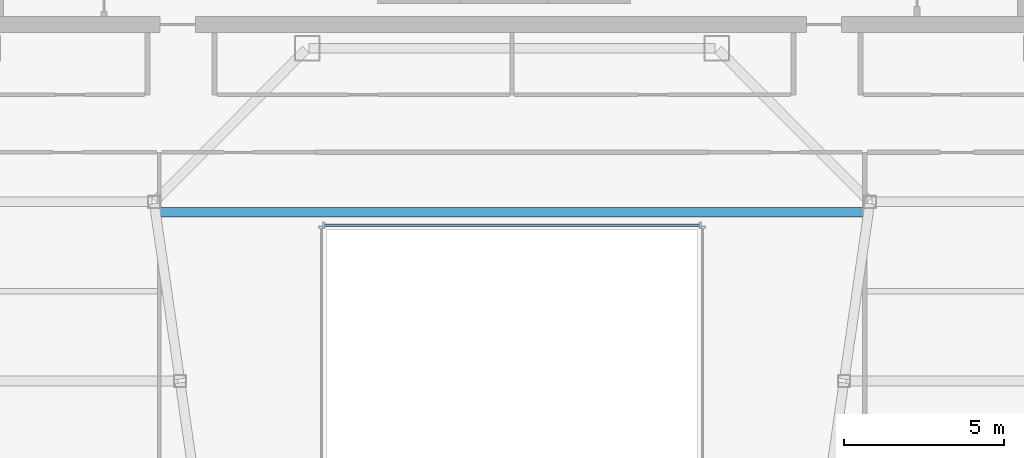
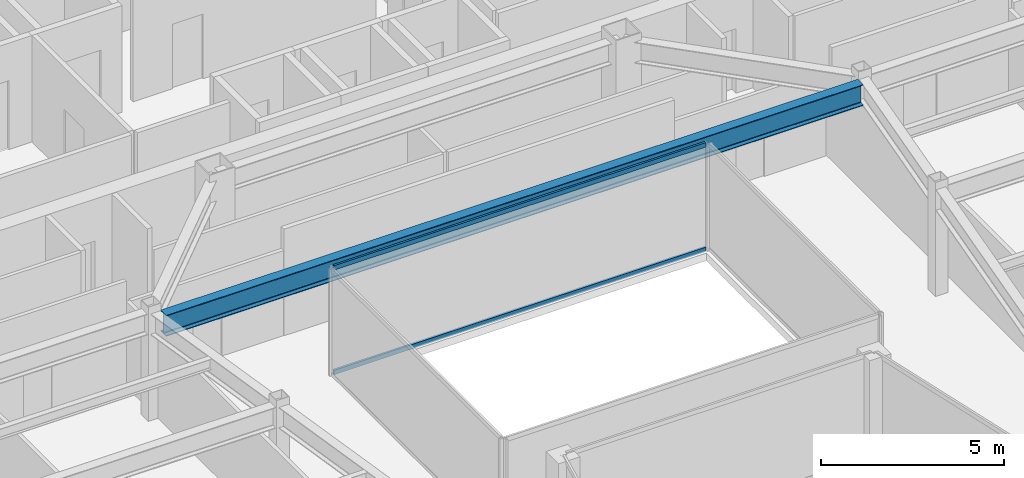
# One storey, part 14 of 36: 2 members, 1 beam, 1 element without a shape of its own.
"""IFC4 building model written with IfcOpenShell, lengths in metres."""

from ifc_helpers import new_model, si_unit, direction, frame, origin, origin_2d, place, context, subcontext, project, spatial, hollow_rectangle, i_section, extrude, material, material_profile, profile_set, type_object, element, aggregate, save


model = new_model("IFC4")

# Units and contexts
model_context = context("Model", 3, precision=1e-05, world=origin(), true_north=direction((0.0, 1.0)))
body_context = subcontext(model_context, "Body", "Model", "MODEL_VIEW")
ifc_project = project(units=[si_unit("LENGTHUNIT", "METRE"), si_unit("AREAUNIT", "SQUARE_METRE"), si_unit("VOLUMEUNIT", "CUBIC_METRE"), si_unit("PLANEANGLEUNIT", "RADIAN"), si_unit("MASSUNIT", "GRAM", prefix="KILO")], contexts=[model_context])

# Site, building, storey
site_placement = place(None, origin())
site = spatial("IfcSite", under=ifc_project, at=site_placement, CompositionType="ELEMENT")
building_placement = place(site_placement, origin())
building = spatial("IfcBuilding", under=site, at=building_placement, Name="Saevonmaru Cultural Tower", CompositionType="ELEMENT")
storey_placement = place(building_placement, frame((0.0, 0.0, 186.60009765625)))
storey = spatial("IfcBuildingStorey", under=building, at=storey_placement, Name="L42", CompositionType="ELEMENT", Elevation=186.60009765625)

# Beam
ifc_material_1 = material(Name="Steel SM355", Category="steel")
ifc_material_profile_1 = material_profile(ifc_material_1, i_section(OverallWidth=0.300048828125, OverallDepth=0.699951171875, WebThickness=0.012939453125, FlangeThickness=0.02392578125, FilletRadius=0.02587890625, at=origin_2d()), Name="H-700x300x13x24")
ifc_profile_set_1 = profile_set([ifc_material_profile_1], Name="Steel SM355")
beam_type = type_object("IfcBeamType", Name="BM-G-H700", PredefinedType="BEAM", material=ifc_profile_set_1)
beam_placement = place(storey_placement, frame((19.01220703125, 37.280029296875, 3.199951171875), z_axis=(1.0, 0.0, 0.0), x_axis=(0.0, 1.0, 0.0)))
element("IfcBeam", 1, at=beam_placement, inside=storey, type_object=beam_type, Name="L42 Central Link Girder", PredefinedType="BEAM", context=body_context, shape_type="SweptSolid", body=[
    extrude(i_section(OverallWidth=0.300048828125, OverallDepth=0.699951171875, WebThickness=0.012939453125, FlangeThickness=0.02392578125, FilletRadius=0.02587890625, at=origin_2d()), origin(), (0.0, 0.0, 1.0), 21.9755859375),
])

# Curtain wall, members
ifc_material_2 = material(Name="Satin Bronze Anodised Aluminium", Category="aluminium")
curtain_wall_type = type_object("IfcCurtainWallType", Name="CW-ATR-GLZ", PredefinedType="NOTDEFINED", material=ifc_material_2)
curtain_wall_placement = place(storey_placement, origin())
curtain_wall = element("IfcCurtainWall", 2, at=curtain_wall_placement, inside=storey, type_object=curtain_wall_type, Name="L42 Vertical Atrium Glazed Smoke Screen 3", PredefinedType="NOTDEFINED")
ifc_material_profile_2 = material_profile(ifc_material_2, hollow_rectangle(XDim=0.06494140625, YDim=0.14990234375, WallThickness=0.00390625, at=origin_2d()), Name="ALU-TRAN-150x65x4")
ifc_profile_set_2 = profile_set([ifc_material_profile_2], Name="Satin Bronze Anodised Aluminium")
member_type = type_object("IfcMemberType", Name="TR-CW-INT-150x65", PredefinedType="USERDEFINED", material=ifc_profile_set_2)
member_1_placement = place(storey_placement, frame((35.857421875, 36.8701171875, 0.032470703125), z_axis=(-1.0, 0.0, 0.0), x_axis=(0.0, -1.0, 0.0)))
member_1 = element("IfcMember", 3, at=member_1_placement, type_object=member_type, Name="CW-ATR-L42-3 transom 1.1", ObjectType="TRANSOM", PredefinedType="USERDEFINED", context=body_context, shape_type="SweptSolid", body=[
    extrude(hollow_rectangle(XDim=0.06494140625, YDim=0.14990234375, WallThickness=0.00390625, at=origin_2d()), origin(), (0.0, 0.0, 1.0), 11.71484375),
])
member_2_placement = place(storey_placement, frame((35.857421875, 36.8701171875, 3.517333984375), z_axis=(-1.0, 0.0, 0.0), x_axis=(0.0, -1.0, 0.0)))
member_2 = element("IfcMember", 4, at=member_2_placement, type_object=member_type, Name="CW-ATR-L42-3 transom 1.2", ObjectType="TRANSOM", PredefinedType="USERDEFINED", context=body_context, shape_type="SweptSolid", body=[
    extrude(hollow_rectangle(XDim=0.06494140625, YDim=0.14990234375, WallThickness=0.00390625, at=origin_2d()), origin(), (0.0, 0.0, 1.0), 11.71484375),
])
aggregate(curtain_wall, [member_1, member_2])

save(model, "model.ifc")
